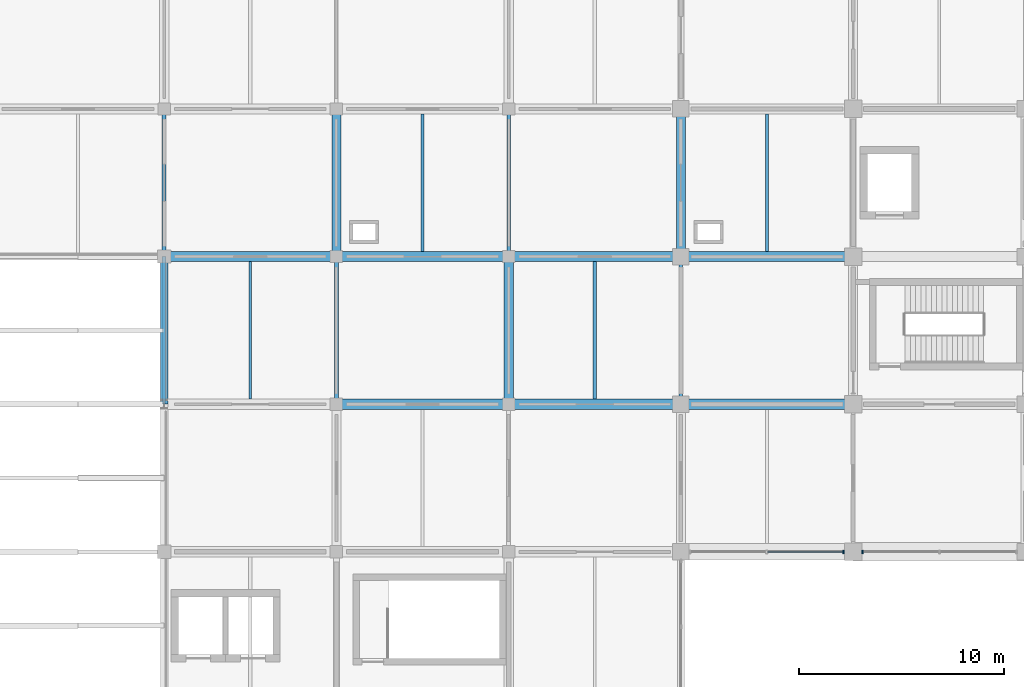
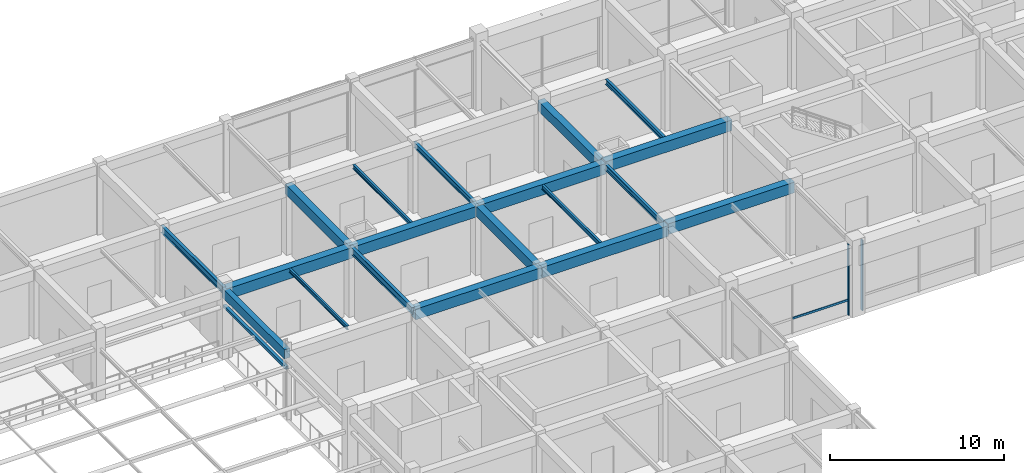
# One storey, part 12 of 38: 19 beams, 4 members, 2 elements without a shape of their own.
"""IFC4 building model written with IfcOpenShell, lengths in metres."""

from ifc_helpers import new_model, si_unit, derived_unit, direction, frame, origin, origin_2d, place, context, subcontext, project, spatial, rectangle, hollow_rectangle, i_section, extrude, material, material_profile, profile_set, type_object, element, aggregate, save


model = new_model("IFC4")

# Units and contexts
model_context = context("Model", 3, precision=1e-05, world=origin(), true_north=direction((0.0, 1.0)))
body_context = subcontext(model_context, "Body", "Model", "MODEL_VIEW")
ifc_project = project(units=[si_unit("LENGTHUNIT", "METRE"), si_unit("AREAUNIT", "SQUARE_METRE"), si_unit("VOLUMEUNIT", "CUBIC_METRE"), si_unit("PLANEANGLEUNIT", "RADIAN"), si_unit("MASSUNIT", "GRAM", prefix="KILO"), derived_unit("THERMALTRANSMITTANCEUNIT", [(si_unit("MASSUNIT", "GRAM", prefix="KILO"), 1), (si_unit("TIMEUNIT", "SECOND"), -3), (si_unit("THERMODYNAMICTEMPERATUREUNIT", "KELVIN"), -1)])], contexts=[model_context])

# Site, building, storey
site_placement = place(None, origin())
site = spatial("IfcSite", under=ifc_project, at=site_placement, CompositionType="ELEMENT")
building_placement = place(site_placement, origin())
building = spatial("IfcBuilding", under=site, at=building_placement, Name="Veldstrom Oceanarium and Marine Research Institute", CompositionType="ELEMENT")
storey_placement = place(building_placement, frame((0.0, 0.0, 16.800048828125)))
storey = spatial("IfcBuildingStorey", under=building, at=storey_placement, Name="L03", CompositionType="ELEMENT", Elevation=16.800048828125)

# Curtain wall, member
ifc_material_1 = material(Name="Anodised Aluminium Framing", Category="aluminium")
curtain_wall_type = type_object("IfcCurtainWallType", Name="ARC-CW-CW02", PredefinedType="USERDEFINED", material=ifc_material_1)
curtain_wall_1_placement = place(storey_placement, origin())
curtain_wall_1 = element("IfcCurtainWall", 1, at=curtain_wall_1_placement, inside=storey, type_object=curtain_wall_type, Name="Curtain Wall CW02 CW-L03-060", ObjectType="Curtain wall", PredefinedType="USERDEFINED")
ifc_material_2 = material(Name="Anodised Aluminium Framing", Category="aluminium")
ifc_material_profile_1 = material_profile(ifc_material_2, rectangle(XDim=0.074951171875, YDim=0.179931640625, at=origin_2d()), Name="ALU-MUL-75x180")
ifc_profile_set_1 = profile_set([ifc_material_profile_1], Name="Anodised Aluminium Framing")
member_type_1 = type_object("IfcMemberType", Name="ARC-MUL-ML1", PredefinedType="MULLION", material=ifc_profile_set_1)
member_1_placement = place(storey_placement, frame((75.135009765625, 43.199951171875, 0.0), z_axis=(0.0, 0.0, 1.0), x_axis=(1.0, 0.0, 0.0)))
member_1 = element("IfcMember", 2, at=member_1_placement, type_object=member_type_1, Name="Curtain Wall Mullion CW-L03-060-MUL-3", PredefinedType="MULLION", context=body_context, shape_type="SweptSolid", body=[
    extrude(rectangle(XDim=0.074951171875, YDim=0.179931640625, at=origin_2d()), origin(), (0.0, 0.0, 1.0), 4.949951171875),
])

curtain_wall_2_placement = place(storey_placement, origin())
curtain_wall_2 = element("IfcCurtainWall", 3, at=curtain_wall_2_placement, inside=storey, type_object=curtain_wall_type, Name="Curtain Wall CW02 CW-L03-062", ObjectType="Curtain wall", PredefinedType="USERDEFINED")
member_2_placement = place(storey_placement, frame((76.06494140625, 43.199951171875, 0.0), z_axis=(0.0, 0.0, 1.0), x_axis=(1.0, 0.0, 0.0)))
member_2 = element("IfcMember", 4, at=member_2_placement, type_object=member_type_1, Name="Curtain Wall Mullion CW-L03-062-MUL-1", PredefinedType="MULLION", context=body_context, shape_type="SweptSolid", body=[
    extrude(rectangle(XDim=0.074951171875, YDim=0.179931640625, at=origin_2d()), origin(), (0.0, 0.0, 1.0), 4.949951171875),
])
aggregate(curtain_wall_2, [member_2])

# Member
ifc_material_3 = material(Name="Anodised Aluminium Framing", Category="aluminium")
ifc_material_profile_2 = material_profile(ifc_material_3, rectangle(XDim=0.074951171875, YDim=0.14990234375, at=origin_2d()), Name="ALU-TRN-75x150")
ifc_profile_set_2 = profile_set([ifc_material_profile_2], Name="Anodised Aluminium Framing")
member_type_2 = type_object("IfcMemberType", Name="ARC-TRN-TR1", PredefinedType="USERDEFINED", material=ifc_profile_set_2)
member_3_placement = place(storey_placement, frame((71.427490234375, 43.199951171875, 1.050048828125), z_axis=(1.0, 0.0, 0.0), x_axis=(0.0, 1.0, 0.0)))
member_3 = element("IfcMember", 5, at=member_3_placement, type_object=member_type_2, Name="Curtain Wall Transom CW-L03-060-TRN-2", ObjectType="Transom", PredefinedType="USERDEFINED", context=body_context, shape_type="SweptSolid", body=[
    extrude(rectangle(XDim=0.074951171875, YDim=0.14990234375, at=origin_2d()), origin(), (0.0, 0.0, 1.0), 3.66748046875),
])

aggregate(curtain_wall_1, [member_1, member_3])

# Beams
ifc_material_4 = material(Name="Concrete C40/50", Category="concrete")
ifc_material_profile_3 = material_profile(ifc_material_4, rectangle(XDim=0.5, YDim=0.75, at=origin_2d()), Name="RC-BM-500x750")
ifc_profile_set_3 = profile_set([ifc_material_profile_3], Name="Concrete C40/50")
beam_type_1 = type_object("IfcBeamType", Name="STR-BM-B03", PredefinedType="BEAM", material=ifc_profile_set_3)
beam_1_placement = place(storey_placement, frame((42.0, 57.60009765625, 4.445068359375), z_axis=(1.0, 0.0, 0.0), x_axis=(0.0, 1.0, 0.0)))
element("IfcBeam", 6, at=beam_1_placement, inside=storey, type_object=beam_type_1, Name="Primary Beam B03 L03-1871", PredefinedType="BEAM", context=body_context, shape_type="SweptSolid", body=[
    extrude(rectangle(XDim=0.5, YDim=0.75, at=origin_2d()), origin(), (0.0, 0.0, 1.0), 8.39990234375),
])
for number, where, z_axis, x_axis, name in (
    (7, (50.39990234375, 50.39990234375, 4.445068359375), (1.0, 0.0, 0.0), (0.0, 1.0, 0.0), "Primary Beam B03 L03-1880"),
    (8, (50.39990234375, 57.60009765625, 4.445068359375), (1.0, 0.0, 0.0), (0.0, 1.0, 0.0), "Primary Beam B03 L03-1881"),
):
    element("IfcBeam", number, at=place(storey_placement, frame(where, z_axis=z_axis, x_axis=x_axis)), inside=storey, type_object=beam_type_1, Name=name, PredefinedType="BEAM", context=body_context, shape_type="SweptSolid", body=[
        extrude(rectangle(XDim=0.5, YDim=0.75, at=origin_2d()), origin(), (0.0, 0.0, 1.0), 8.400146484375),
    ])
for number, where, z_axis, x_axis, name in (
    (9, (58.800048828125, 50.39990234375, 4.445068359375), (1.0, 0.0, 0.0), (0.0, 1.0, 0.0), "Primary Beam B03 L03-1890"),
    (10, (58.800048828125, 57.60009765625, 4.445068359375), (1.0, 0.0, 0.0), (0.0, 1.0, 0.0), "Primary Beam B03 L03-1891"),
):
    element("IfcBeam", number, at=place(storey_placement, frame(where, z_axis=z_axis, x_axis=x_axis)), inside=storey, type_object=beam_type_1, Name=name, PredefinedType="BEAM", context=body_context, shape_type="SweptSolid", body=[
        extrude(rectangle(XDim=0.5, YDim=0.75, at=origin_2d()), origin(), (0.0, 0.0, 1.0), 8.39990234375),
    ])
for number, where, z_axis, x_axis, name in (
    (11, (67.199951171875, 50.39990234375, 4.570068359375), (1.0, 0.0, 0.0), (0.0, 1.0, 0.0), "Primary Beam B03 L03-1895"),
    (12, (67.199951171875, 57.60009765625, 4.570068359375), (1.0, 0.0, 0.0), (0.0, 1.0, 0.0), "Primary Beam B03 L03-1896"),
):
    element("IfcBeam", number, at=place(storey_placement, frame(where, z_axis=z_axis, x_axis=x_axis)), inside=storey, type_object=beam_type_1, Name=name, PredefinedType="BEAM", context=body_context, shape_type="SweptSolid", body=[
        extrude(rectangle(XDim=0.5, YDim=0.75, at=origin_2d()), origin(), (0.0, 0.0, 1.0), 8.400146484375),
    ])
ifc_material_5 = material(Name="Concrete C40/50", Category="concrete")
ifc_material_profile_4 = material_profile(ifc_material_5, rectangle(XDim=0.449951171875, YDim=0.699951171875, at=origin_2d()), Name="RC-BM-450x700")
ifc_profile_set_4 = profile_set([ifc_material_profile_4], Name="Concrete C40/50")
beam_type_2 = type_object("IfcBeamType", Name="STR-BM-B04", PredefinedType="BEAM", material=ifc_profile_set_4)
beam_2_placement = place(storey_placement, frame((50.39990234375, 57.60009765625, 4.469970703125), z_axis=(0.0, 1.0, 0.0), x_axis=(-1.0, 0.0, 0.0)))
element("IfcBeam", 13, at=beam_2_placement, inside=storey, type_object=beam_type_2, Name="Primary Beam B04 L03-1988", PredefinedType="BEAM", context=body_context, shape_type="SweptSolid", body=[
    extrude(rectangle(XDim=0.449951171875, YDim=0.699951171875, at=origin_2d()), origin(), (0.0, 0.0, 1.0), 7.199951171875),
])
beam_3_placement = place(storey_placement, frame((58.800048828125, 50.39990234375, 4.469970703125), z_axis=(0.0, 1.0, 0.0), x_axis=(-1.0, 0.0, 0.0)))
element("IfcBeam", 14, at=beam_3_placement, inside=storey, type_object=beam_type_2, Name="Primary Beam B04 L03-1996", PredefinedType="BEAM", context=body_context, shape_type="SweptSolid", body=[
    extrude(rectangle(XDim=0.449951171875, YDim=0.699951171875, at=origin_2d()), origin(), (0.0, 0.0, 1.0), 7.2001953125),
])
beam_4_placement = place(storey_placement, frame((67.199951171875, 57.60009765625, 4.469970703125), z_axis=(0.0, 1.0, 0.0), x_axis=(-1.0, 0.0, 0.0)))
element("IfcBeam", 15, at=beam_4_placement, inside=storey, type_object=beam_type_2, Name="Primary Beam B04 L03-2006", PredefinedType="BEAM", context=body_context, shape_type="SweptSolid", body=[
    extrude(rectangle(XDim=0.449951171875, YDim=0.699951171875, at=origin_2d()), origin(), (0.0, 0.0, 1.0), 7.199951171875),
])
ifc_material_6 = material(Name="Steel S355JR", Category="steel")
ifc_material_profile_5 = material_profile(ifc_material_6, i_section(OverallWidth=0.199951171875, OverallDepth=0.5, WebThickness=0.01025390625, FlangeThickness=0.01611328125, FilletRadius=0.02099609375, at=origin_2d()), Name="IPE 500")
ifc_profile_set_5 = profile_set([ifc_material_profile_5], Name="Steel S355JR")
beam_type_3 = type_object("IfcBeamType", Name="STR-BM-SB6", PredefinedType="BEAM", material=ifc_profile_set_5)
beam_5_placement = place(storey_placement, frame((42.0, 57.60009765625, 4.570068359375), z_axis=(0.0, 1.0, 0.0), x_axis=(-1.0, 0.0, 0.0)))
element("IfcBeam", 16, at=beam_5_placement, inside=storey, type_object=beam_type_3, Name="Steel Tie Beam SB6 L03-1979", PredefinedType="BEAM", context=body_context, shape_type="SweptSolid", body=[
    extrude(i_section(OverallWidth=0.199951171875, OverallDepth=0.5, WebThickness=0.01025390625, FlangeThickness=0.01611328125, FilletRadius=0.02099609375, at=origin_2d()), origin(), (0.0, 0.0, 1.0), 7.199951171875),
])
beam_6_placement = place(storey_placement, frame((50.39990234375, 50.39990234375, 4.570068359375), z_axis=(0.0, 1.0, 0.0), x_axis=(-1.0, 0.0, 0.0)))
element("IfcBeam", 17, at=beam_6_placement, inside=storey, type_object=beam_type_3, Name="Steel Tie Beam SB6 L03-1987", PredefinedType="BEAM", context=body_context, shape_type="SweptSolid", body=[
    extrude(i_section(OverallWidth=0.199951171875, OverallDepth=0.5, WebThickness=0.01025390625, FlangeThickness=0.01611328125, FilletRadius=0.02099609375, at=origin_2d()), origin(), (0.0, 0.0, 1.0), 7.2001953125),
])
ifc_material_7 = material(Name="Steel S355JR", Category="steel")
ifc_material_profile_6 = material_profile(ifc_material_7, i_section(OverallWidth=0.179931640625, OverallDepth=0.39990234375, WebThickness=0.008544921875, FlangeThickness=0.013427734375, FilletRadius=0.02099609375, at=origin_2d()), Name="IPE 400")
ifc_profile_set_6 = profile_set([ifc_material_profile_6], Name="Steel S355JR")
beam_type_4 = type_object("IfcBeamType", Name="STR-BM-SB8", PredefinedType="BEAM", material=ifc_profile_set_6)
beam_7_placement = place(storey_placement, frame((58.800048828125, 57.60009765625, 4.619873046875), z_axis=(0.0, 1.0, 0.0), x_axis=(-1.0, 0.0, 0.0)))
element("IfcBeam", 18, at=beam_7_placement, inside=storey, type_object=beam_type_4, Name="Steel Tie Beam SB8 L03-1997", PredefinedType="BEAM", context=body_context, shape_type="SweptSolid", body=[
    extrude(i_section(OverallWidth=0.179931640625, OverallDepth=0.39990234375, WebThickness=0.008544921875, FlangeThickness=0.013427734375, FilletRadius=0.02099609375, at=origin_2d()), origin(), (0.0, 0.0, 1.0), 7.199951171875),
])
beam_8_placement = place(storey_placement, frame((67.199951171875, 50.39990234375, 4.619873046875), z_axis=(0.0, 1.0, 0.0), x_axis=(-1.0, 0.0, 0.0)))
element("IfcBeam", 19, at=beam_8_placement, inside=storey, type_object=beam_type_4, Name="Steel Tie Beam SB8 L03-2005", PredefinedType="BEAM", context=body_context, shape_type="SweptSolid", body=[
    extrude(i_section(OverallWidth=0.179931640625, OverallDepth=0.39990234375, WebThickness=0.008544921875, FlangeThickness=0.013427734375, FilletRadius=0.02099609375, at=origin_2d()), origin(), (0.0, 0.0, 1.0), 7.2001953125),
])
ifc_material_8 = material(Name="Steel S355JR", Category="steel")
ifc_material_profile_7 = material_profile(ifc_material_8, i_section(OverallWidth=0.169921875, OverallDepth=0.360107421875, WebThickness=0.008056640625, FlangeThickness=0.0126953125, FilletRadius=0.01806640625, at=origin_2d()), Name="IPE 360")
ifc_profile_set_7 = profile_set([ifc_material_profile_7], Name="Steel S355JR")
beam_type_5 = type_object("IfcBeamType", Name="STR-JST-SJ1", PredefinedType="JOIST", material=ifc_profile_set_7)
beam_9_placement = place(storey_placement, frame((71.39990234375, 57.85009765625, 4.764892578125), z_axis=(0.0, 1.0, 0.0), x_axis=(-1.0, 0.0, 0.0)))
element("IfcBeam", 20, at=beam_9_placement, inside=storey, type_object=beam_type_5, Name="Secondary Joist SJ1 L03-2077", PredefinedType="JOIST", context=body_context, shape_type="SweptSolid", body=[
    extrude(i_section(OverallWidth=0.169921875, OverallDepth=0.360107421875, WebThickness=0.008056640625, FlangeThickness=0.0126953125, FilletRadius=0.01806640625, at=origin_2d()), origin(), (0.0, 0.0, 1.0), 6.699951171875),
])
ifc_material_9 = material(Name="Steel S355JR", Category="steel")
ifc_material_profile_8 = material_profile(ifc_material_9, i_section(OverallWidth=0.14990234375, OverallDepth=0.300048828125, WebThickness=0.007080078125, FlangeThickness=0.0107421875, FilletRadius=0.014892578125, at=origin_2d()), Name="IPE 300")
ifc_profile_set_8 = profile_set([ifc_material_profile_8], Name="Steel S355JR")
beam_type_6 = type_object("IfcBeamType", Name="STR-JST-SJ2", PredefinedType="JOIST", material=ifc_profile_set_8)
beam_10_placement = place(storey_placement, frame((54.60009765625, 57.85009765625, 4.669921875), z_axis=(0.0, 1.0, 0.0), x_axis=(-1.0, 0.0, 0.0)))
element("IfcBeam", 21, at=beam_10_placement, inside=storey, type_object=beam_type_6, Name="Secondary Joist SJ2 L03-2070", PredefinedType="JOIST", context=body_context, shape_type="SweptSolid", body=[
    extrude(i_section(OverallWidth=0.14990234375, OverallDepth=0.300048828125, WebThickness=0.007080078125, FlangeThickness=0.0107421875, FilletRadius=0.014892578125, at=origin_2d()), origin(), (0.0, 0.0, 1.0), 6.699951171875),
])
beam_11_placement = place(storey_placement, frame((63.0, 50.64990234375, 4.669921875), z_axis=(0.0, 1.0, 0.0), x_axis=(-1.0, 0.0, 0.0)))
element("IfcBeam", 22, at=beam_11_placement, inside=storey, type_object=beam_type_6, Name="Secondary Joist SJ2 L03-2074", PredefinedType="JOIST", context=body_context, shape_type="SweptSolid", body=[
    extrude(i_section(OverallWidth=0.14990234375, OverallDepth=0.300048828125, WebThickness=0.007080078125, FlangeThickness=0.0107421875, FilletRadius=0.014892578125, at=origin_2d()), origin(), (0.0, 0.0, 1.0), 6.7001953125),
])
ifc_material_10 = material(Name="Steel S355JR", Category="steel")
ifc_material_profile_9 = material_profile(ifc_material_10, i_section(OverallWidth=0.135009765625, OverallDepth=0.27001953125, WebThickness=0.006591796875, FlangeThickness=0.01025390625, FilletRadius=0.014892578125, at=origin_2d()), Name="IPE 270")
ifc_profile_set_9 = profile_set([ifc_material_profile_9], Name="Steel S355JR")
beam_type_7 = type_object("IfcBeamType", Name="STR-JST-SJ3", PredefinedType="JOIST", material=ifc_profile_set_9)
beam_12_placement = place(storey_placement, frame((46.199951171875, 50.64990234375, 4.68505859375), z_axis=(0.0, 1.0, 0.0), x_axis=(-1.0, 0.0, 0.0)))
element("IfcBeam", 23, at=beam_12_placement, inside=storey, type_object=beam_type_7, Name="Secondary Joist SJ3 L03-2065", PredefinedType="JOIST", context=body_context, shape_type="SweptSolid", body=[
    extrude(i_section(OverallWidth=0.135009765625, OverallDepth=0.27001953125, WebThickness=0.006591796875, FlangeThickness=0.01025390625, FilletRadius=0.014892578125, at=origin_2d()), origin(), (0.0, 0.0, 1.0), 6.7001953125),
])

# Member
ifc_material_11 = material(Name="Steel S355JR", Category="steel")
ifc_material_profile_10 = material_profile(ifc_material_11, hollow_rectangle(XDim=0.199951171875, YDim=0.199951171875, WallThickness=0.012451171875, at=origin_2d()), Name="SHS 200x200x12.5")
ifc_profile_set_10 = profile_set([ifc_material_profile_10], Name="Steel S355JR")
member_type_3 = type_object("IfcMemberType", Name="STR-MEM-CH2", PredefinedType="CHORD", material=ifc_profile_set_10)
member_4_placement = place(storey_placement, frame((42.0, 50.39990234375, 3.5), z_axis=(0.0, 1.0, 0.0), x_axis=(-1.0, 0.0, 0.0)))
element("IfcMember", 24, at=member_4_placement, inside=storey, type_object=member_type_3, Name="Hall Truss Bottom Longitudinal Tie 6/H", PredefinedType="CHORD", context=body_context, shape_type="SweptSolid", body=[
    extrude(hollow_rectangle(XDim=0.199951171875, YDim=0.199951171875, WallThickness=0.012451171875, at=origin_2d()), origin(), (0.0, 0.0, 1.0), 7.2001953125),
])

# Beam
ifc_material_12 = material(Name="Concrete C40/50", Category="concrete")
ifc_material_profile_11 = material_profile(ifc_material_12, rectangle(XDim=0.35009765625, YDim=0.64990234375, at=origin_2d()), Name="RC-SPN-350x650")
ifc_profile_set_11 = profile_set([ifc_material_profile_11], Name="Concrete C40/50")
beam_type_8 = type_object("IfcBeamType", Name="STR-SPN-SP1", PredefinedType="SPANDREL", material=ifc_profile_set_11)
beam_13_placement = place(storey_placement, frame((42.0, 50.39990234375, 4.494873046875), z_axis=(0.0, 1.0, 0.0), x_axis=(-1.0, 0.0, 0.0)))
element("IfcBeam", 25, at=beam_13_placement, inside=storey, type_object=beam_type_8, Name="Perimeter Spandrel SPB1 L03-1978", PredefinedType="SPANDREL", context=body_context, shape_type="SweptSolid", body=[
    extrude(rectangle(XDim=0.35009765625, YDim=0.64990234375, at=origin_2d()), origin(), (0.0, 0.0, 1.0), 7.2001953125),
])

save(model, "model.ifc")
